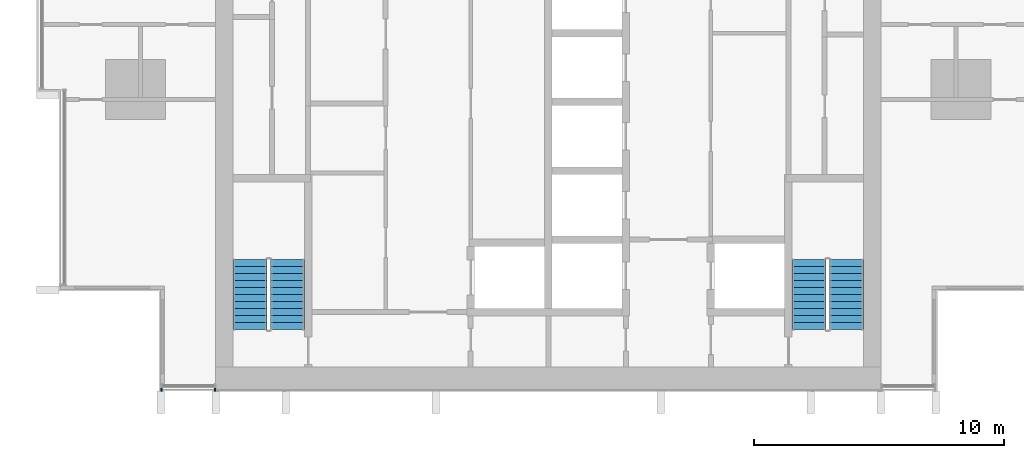
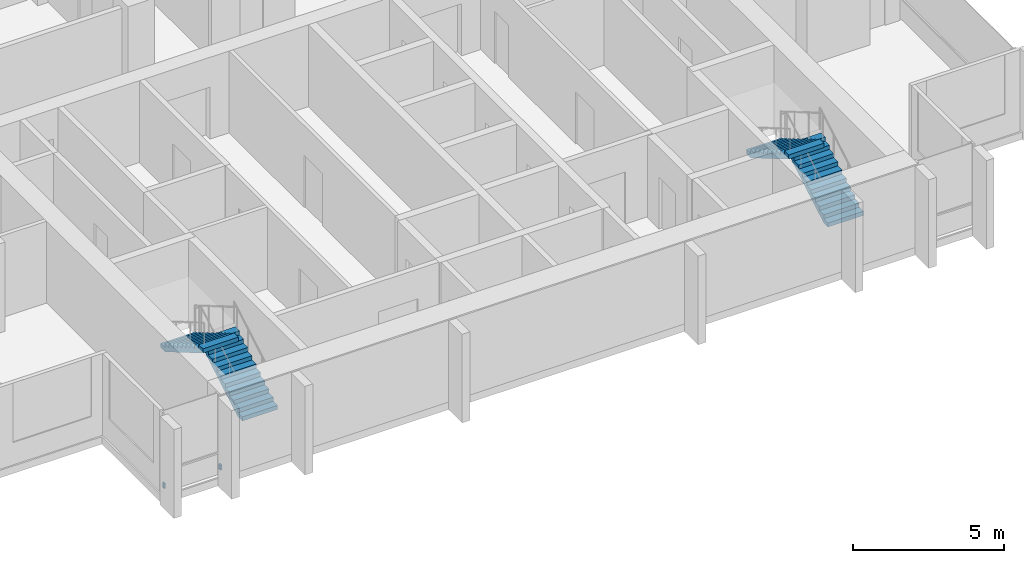
# One storey, part 11 of 16: 4 stair flights, 2 discrete accessories, 2 elements without a shape of their own.
"""IFC4 building model written with IfcOpenShell, lengths in metres."""

import ifcopenshell
import ifcopenshell.guid

model = None  # the IFC model being written
_history = None  # IfcOwnerHistory: only IFC2X3 demands one
_inside = {}  # id of a spatial element -> (the spatial element, [elements in it])
_under = {}  # id of a project, library or spatial element -> (it, [spatial elements below it])
_declared = {}  # id of a project -> (the project, [libraries it declares])
_typed = {}  # id of a type object -> (the type object, [elements of that type])
_made_of = {}  # id of a material, layer set ... -> (it, [elements and type objects made of it])


def new_model(schema):
    """Start an empty IFC model of exactly this schema.

    Asked for "IFC4X3", IfcOpenShell would pick the latest addendum, in which some entities
    have other attributes; the version numbers below select the first issue.
    IFC2X3 requires an IfcOwnerHistory on every rooted entity: one is made here for all.
    """
    global model, _history
    if schema == "IFC4X3":
        model = ifcopenshell.file(schema_version=(4, 3, 0, 0))
    else:
        model = ifcopenshell.file(schema=schema)
    _inside.clear()
    _under.clear()
    _declared.clear()
    _typed.clear()
    _made_of.clear()
    _history = None
    if model.schema == "IFC2X3":
        org = make("IfcOrganization", Name="unknown")
        user = make(
            "IfcPersonAndOrganization",
            ThePerson=make("IfcPerson", FamilyName="unknown"),
            TheOrganization=org,
        )
        app = make(
            "IfcApplication",
            ApplicationDeveloper=org,
            Version="unknown",
            ApplicationFullName="unknown",
            ApplicationIdentifier="unknown",
        )
        _history = make(
            "IfcOwnerHistory",
            OwningUser=user,
            OwningApplication=app,
            ChangeAction="ADDED",
            CreationDate=0,
        )
    return model


def make(cls, **values):
    """One entity of the class cls with the attributes given. An attribute that is None is left unset."""
    return model.create_entity(
        cls, **{name: value for name, value in values.items() if value is not None}
    )


def rooted(cls, **values):
    """An entity with a GlobalId (a new one), such as an element, a storey or a relation."""
    return make(cls, GlobalId=ifcopenshell.guid.new(), OwnerHistory=_history, **values)


def si_unit(unit_type, name, prefix=None):
    """IfcSIUnit, for example si_unit("LENGTHUNIT", "METRE", prefix="MILLI")."""
    return make("IfcSIUnit", UnitType=unit_type, Prefix=prefix, Name=name)


def assignment(units):
    """IfcUnitAssignment: the units of a project."""
    return None if units is None else make("IfcUnitAssignment", Units=units)


def point(xyz):
    """IfcCartesianPoint."""
    return None if xyz is None else make("IfcCartesianPoint", Coordinates=xyz)


def direction(xyz):
    """IfcDirection."""
    return None if xyz is None else make("IfcDirection", DirectionRatios=xyz)


def frame(location, z_axis=None, x_axis=None):
    """IfcAxis2Placement3D, a coordinate frame: its origin and axes. An axis left out is left unset."""
    return make(
        "IfcAxis2Placement3D",
        Location=point(location),
        Axis=direction(z_axis),
        RefDirection=direction(x_axis),
    )


def frame_2d(location, x_axis=None):
    """IfcAxis2Placement2D, a coordinate frame in the plane: its origin and x axis."""
    return make(
        "IfcAxis2Placement2D", Location=point(location), RefDirection=direction(x_axis)
    )


def origin():
    """The frame at (0, 0, 0) with its axes left unset."""
    return frame((0.0, 0.0, 0.0))


def origin_2d():
    """The frame at (0, 0) in the plane with its x axis left unset."""
    return frame_2d((0.0, 0.0))


def place(relative_to, where):
    """IfcLocalPlacement: puts the frame where relative to a parent placement (None: the world)."""
    return make(
        "IfcLocalPlacement", PlacementRelTo=relative_to, RelativePlacement=where
    )


def context(
    kind, dimensions, precision=None, world=None, true_north=None, identifier=None
):
    """IfcGeometricRepresentationContext, for example the 3D "Model" context."""
    return make(
        "IfcGeometricRepresentationContext",
        ContextIdentifier=identifier,
        ContextType=kind,
        CoordinateSpaceDimension=dimensions,
        Precision=precision,
        WorldCoordinateSystem=world,
        TrueNorth=true_north,
    )


def subcontext(parent, identifier, kind, view, scale=None):
    """IfcGeometricRepresentationSubContext, for example "Body" below "Model"."""
    return make(
        "IfcGeometricRepresentationSubContext",
        ContextIdentifier=identifier,
        ContextType=kind,
        ParentContext=parent,
        TargetScale=scale,
        TargetView=view,
    )


def project(units=None, contexts=None):
    """IfcProject with its units and contexts."""
    return rooted(
        "IfcProject",
        Name="project",
        RepresentationContexts=contexts,
        UnitsInContext=assignment(units),
    )


def spatial(cls, under=None, at=None, **own):
    """A site, building, storey or space (cls), placed at a placement, below another one or the project."""
    s = rooted(cls, ObjectPlacement=at, **own)
    if under is not None:
        _under.setdefault(under.id(), (under, []))[1].append(s)
    return s


def polyline(points):
    """IfcPolyline through the points."""
    return make("IfcPolyline", Points=[point(p) for p in points])


def profile(cls, at=None, kind="AREA", **sizes):
    """A parametric profile (cls). Its sizes go by their IFC names, for example OverallWidth=200.0."""
    return make(cls, ProfileType=kind, Position=at, **sizes)


def rectangle(**sizes):
    """IfcRectangleProfileDef."""
    return profile("IfcRectangleProfileDef", **sizes)


def outline(outer, holes=None, kind="AREA"):
    """IfcArbitraryClosedProfileDef: a profile drawn as a closed curve; with holes, ...WithVoids."""
    if holes is None:
        return make("IfcArbitraryClosedProfileDef", ProfileType=kind, OuterCurve=outer)
    return make(
        "IfcArbitraryProfileDefWithVoids",
        ProfileType=kind,
        OuterCurve=outer,
        InnerCurves=holes,
    )


def extrude(swept, where, along, depth):
    """IfcExtrudedAreaSolid: the profile swept, set in the frame where, extruded along a direction by depth."""
    return make(
        "IfcExtrudedAreaSolid",
        SweptArea=swept,
        Position=where,
        ExtrudedDirection=direction(along),
        Depth=depth,
    )


def shape(context_of_items, identifier, shape_type, items):
    """IfcShapeRepresentation: the items that make up one representation, for example the "Body"."""
    return make(
        "IfcShapeRepresentation",
        ContextOfItems=context_of_items,
        RepresentationIdentifier=identifier,
        RepresentationType=shape_type,
        Items=items,
    )


def material(Name=None, Category=None):
    """IfcMaterial."""
    return make("IfcMaterial", Name=Name, Category=Category)


def made_of(thing, what):
    """Note that an element or type object is made of a material, layer set ...; save() writes the relation."""
    if what is not None:
        _made_of.setdefault(what.id(), (what, []))[1].append(thing)
    return thing


def type_object(cls, material=None, **own):
    """A type object (cls), such as IfcWallType, which elements share."""
    return made_of(rooted(cls, **own), material)


def element(
    cls,
    number,
    at=None,
    inside=None,
    cuts=None,
    type_object=None,
    material=None,
    context=None,
    identifier="Body",
    shape_type=None,
    held_by="IfcProductDefinitionShape",
    body=None,
    shapes=None,
    **own,
):
    """One element of the class cls, such as IfcWall. Its Tag is "e" and its number.

    at: its placement. inside: the storey or other place that contains it. cuts: it is an
    opening in that element (IfcRelVoidsElement). A single representation is given by context,
    identifier, shape_type and body (its items); several are given by shapes. held_by: the class
    of the entity that holds the representations. save() writes the other relations.
    """
    e = rooted(cls, Tag="e%d" % number, ObjectPlacement=at, **own)
    if body is not None:
        shapes = [shape(context, identifier, shape_type, body)]
    if shapes is not None:
        e.Representation = make(held_by, Representations=shapes)
    if inside is not None:
        _inside.setdefault(inside.id(), (inside, []))[1].append(e)
    if cuts is not None:
        rooted(
            "IfcRelVoidsElement", RelatingBuildingElement=cuts, RelatedOpeningElement=e
        )
    if type_object is not None:
        _typed.setdefault(type_object.id(), (type_object, []))[1].append(e)
    return made_of(e, material)


def aggregate(whole, parts):
    """IfcRelAggregates: a whole, such as a stair, and the parts it consists of."""
    return rooted("IfcRelAggregates", RelatingObject=whole, RelatedObjects=parts)


def save(model, path):
    """Write the relations noted so far, then the file.

    IfcRelAggregates (storeys below a building ...), IfcRelContainedInSpatialStructure (elements
    in a storey), IfcRelDefinesByType, IfcRelAssociatesMaterial and IfcRelDeclares: one each for
    every whole, place, type object, material and project.
    """
    for whole, parts in _under.values():
        aggregate(whole, parts)
    for where, things in _inside.values():
        rooted(
            "IfcRelContainedInSpatialStructure",
            RelatedElements=things,
            RelatingStructure=where,
        )
    for kind, things in _typed.values():
        rooted("IfcRelDefinesByType", RelatedObjects=things, RelatingType=kind)
    for what, things in _made_of.values():
        rooted("IfcRelAssociatesMaterial", RelatedObjects=things, RelatingMaterial=what)
    for by, libraries in _declared.values():
        rooted("IfcRelDeclares", RelatingContext=by, RelatedDefinitions=libraries)
    model.write(path)


model = new_model("IFC4")

# Units and contexts
model_context = context("Model", 3, precision=1e-05, world=origin(), true_north=direction((0.0, 1.0)))
body_context = subcontext(model_context, "Body", "Model", "MODEL_VIEW")
ifc_project = project(units=[si_unit("LENGTHUNIT", "METRE"), si_unit("AREAUNIT", "SQUARE_METRE"), si_unit("VOLUMEUNIT", "CUBIC_METRE"), si_unit("PLANEANGLEUNIT", "RADIAN"), si_unit("MASSUNIT", "GRAM", prefix="KILO")], contexts=[model_context])

# Site, building, storey
site_placement = place(None, origin())
site = spatial("IfcSite", under=ifc_project, at=site_placement, CompositionType="ELEMENT")
building_placement = place(site_placement, origin())
building = spatial("IfcBuilding", under=site, at=building_placement, Name="Finial Court Residences", CompositionType="ELEMENT")
storey_placement = place(building_placement, frame((0.0, 0.0, 185.300048828125)))
storey = spatial("IfcBuildingStorey", under=building, at=storey_placement, Name="L46", CompositionType="ELEMENT", Elevation=185.300048828125)

# Stair, stair flights
ifc_material_1 = material(Name="Concrete C50/60", Category="concrete")
stair_type = type_object("IfcStairType", Name="Exit stair 22 risers of 163.6 mm", PredefinedType="HALF_TURN_STAIR", material=ifc_material_1)
stair_1_placement = place(storey_placement, origin())
stair_1 = element("IfcStair", 1, at=stair_1_placement, inside=storey, type_object=stair_type, Name="L46 Exit stair ST-1", PredefinedType="HALF_TURN_STAIR")
stair_flight_type = type_object("IfcStairFlightType", Name="Exit stair flight", PredefinedType="STRAIGHT", material=ifc_material_1)
stair_flight_1_placement = place(storey_placement, frame((-10.425048828125, -23.10009765625, 0.0), z_axis=(0.0, 0.0, 1.0), x_axis=(0.0, 1.0, 0.0)))
stair_flight_1 = element("IfcStairFlight", 2, at=stair_flight_1_placement, type_object=stair_flight_type, Name="ST-1 flight 1", NumberOfRisers=11, NumberOfTreads=10, PredefinedType="STRAIGHT", RiserHeight=0.163636364, TreadLength=0.28, context=body_context, shape_type="SweptSolid", body=[
    extrude(outline(polyline([(0.0, 0.0), (0.0, 0.16357421875), (0.280029296875, 0.16357421875), (0.280029296875, 0.327392578125), (0.56005859375, 0.327392578125), (0.56005859375, 0.490966796875), (0.840087890625, 0.490966796875), (0.840087890625, 0.654541015625), (1.1201171875, 0.654541015625), (1.1201171875, 0.818115234375), (1.39990234375, 0.818115234375), (1.39990234375, 0.98193359375), (1.679931640625, 0.98193359375), (1.679931640625, 1.1455078125), (1.9599609375, 1.1455078125), (1.9599609375, 1.30908203125), (2.239990234375, 1.30908203125), (2.239990234375, 1.47265625), (2.52001953125, 1.47265625), (2.52001953125, 1.636474609375), (2.800048828125, 1.636474609375), (2.800048828125, 1.800048828125), (2.800048828125, 1.462646484375), (0.297119140625, 0.0), (0.0, 0.0)])), frame((0.0, 0.675048828125, 0.0), z_axis=(0.0, -1.0, 0.0), x_axis=(1.0, 0.0, 0.0)), (0.0, 0.0, 1.0), 1.35009765625),
])
stair_flight_2_placement = place(storey_placement, frame((-11.925048828125, -20.300048828125, 1.800048828125), z_axis=(0.0, 0.0, 1.0), x_axis=(0.0, -1.0, 0.0)))
stair_flight_2 = element("IfcStairFlight", 3, at=stair_flight_2_placement, type_object=stair_flight_type, Name="ST-1 flight 2", NumberOfRisers=11, NumberOfTreads=10, PredefinedType="STRAIGHT", RiserHeight=0.163636364, TreadLength=0.28, context=body_context, shape_type="SweptSolid", body=[
    extrude(outline(polyline([(0.0, 0.0), (0.0, 0.16357421875), (0.280029296875, 0.16357421875), (0.280029296875, 0.327392578125), (0.56005859375, 0.327392578125), (0.56005859375, 0.490966796875), (0.840087890625, 0.490966796875), (0.840087890625, 0.654541015625), (1.1201171875, 0.654541015625), (1.1201171875, 0.818115234375), (1.39990234375, 0.818115234375), (1.39990234375, 0.98193359375), (1.679931640625, 0.98193359375), (1.679931640625, 1.1455078125), (1.9599609375, 1.1455078125), (1.9599609375, 1.30908203125), (2.239990234375, 1.30908203125), (2.239990234375, 1.47265625), (2.52001953125, 1.47265625), (2.52001953125, 1.636474609375), (2.800048828125, 1.636474609375), (2.800048828125, 1.800048828125), (2.800048828125, 1.462646484375), (0.297119140625, 0.0), (0.0, 0.0)])), frame((0.0, 0.675048828125, 0.0), z_axis=(0.0, -1.0, 0.0), x_axis=(1.0, 0.0, 0.0)), (0.0, 0.0, 1.0), 1.35009765625),
])
aggregate(stair_1, [stair_flight_1, stair_flight_2])

stair_2_placement = place(storey_placement, origin())
stair_2 = element("IfcStair", 4, at=stair_2_placement, inside=storey, type_object=stair_type, Name="L46 Exit stair ST-2", PredefinedType="HALF_TURN_STAIR")
stair_flight_3_placement = place(storey_placement, frame((11.925048828125, -23.10009765625, 0.0), z_axis=(0.0, 0.0, 1.0), x_axis=(0.0, 1.0, 0.0)))
stair_flight_3 = element("IfcStairFlight", 5, at=stair_flight_3_placement, type_object=stair_flight_type, Name="ST-2 flight 1", NumberOfRisers=11, NumberOfTreads=10, PredefinedType="STRAIGHT", RiserHeight=0.163636364, TreadLength=0.28, context=body_context, shape_type="SweptSolid", body=[
    extrude(outline(polyline([(0.0, 0.0), (0.0, 0.16357421875), (0.280029296875, 0.16357421875), (0.280029296875, 0.327392578125), (0.56005859375, 0.327392578125), (0.56005859375, 0.490966796875), (0.840087890625, 0.490966796875), (0.840087890625, 0.654541015625), (1.1201171875, 0.654541015625), (1.1201171875, 0.818115234375), (1.39990234375, 0.818115234375), (1.39990234375, 0.98193359375), (1.679931640625, 0.98193359375), (1.679931640625, 1.1455078125), (1.9599609375, 1.1455078125), (1.9599609375, 1.30908203125), (2.239990234375, 1.30908203125), (2.239990234375, 1.47265625), (2.52001953125, 1.47265625), (2.52001953125, 1.636474609375), (2.800048828125, 1.636474609375), (2.800048828125, 1.800048828125), (2.800048828125, 1.462646484375), (0.297119140625, 0.0), (0.0, 0.0)])), frame((0.0, 0.675048828125, 0.0), z_axis=(0.0, -1.0, 0.0), x_axis=(1.0, 0.0, 0.0)), (0.0, 0.0, 1.0), 1.35009765625),
])
stair_flight_4_placement = place(storey_placement, frame((10.425048828125, -20.300048828125, 1.800048828125), z_axis=(0.0, 0.0, 1.0), x_axis=(0.0, -1.0, 0.0)))
stair_flight_4 = element("IfcStairFlight", 6, at=stair_flight_4_placement, type_object=stair_flight_type, Name="ST-2 flight 2", NumberOfRisers=11, NumberOfTreads=10, PredefinedType="STRAIGHT", RiserHeight=0.163636364, TreadLength=0.28, context=body_context, shape_type="SweptSolid", body=[
    extrude(outline(polyline([(0.0, 0.0), (0.0, 0.16357421875), (0.280029296875, 0.16357421875), (0.280029296875, 0.327392578125), (0.56005859375, 0.327392578125), (0.56005859375, 0.490966796875), (0.840087890625, 0.490966796875), (0.840087890625, 0.654541015625), (1.1201171875, 0.654541015625), (1.1201171875, 0.818115234375), (1.39990234375, 0.818115234375), (1.39990234375, 0.98193359375), (1.679931640625, 0.98193359375), (1.679931640625, 1.1455078125), (1.9599609375, 1.1455078125), (1.9599609375, 1.30908203125), (2.239990234375, 1.30908203125), (2.239990234375, 1.47265625), (2.52001953125, 1.47265625), (2.52001953125, 1.636474609375), (2.800048828125, 1.636474609375), (2.800048828125, 1.800048828125), (2.800048828125, 1.462646484375), (0.297119140625, 0.0), (0.0, 0.0)])), frame((0.0, 0.675048828125, 0.0), z_axis=(0.0, -1.0, 0.0), x_axis=(1.0, 0.0, 0.0)), (0.0, 0.0, 1.0), 1.35009765625),
])
aggregate(stair_2, [stair_flight_3, stair_flight_4])

# Discrete accessories
ifc_material_2 = material(Name="Stainless steel 316", Category="steel")
discrete_accessory_type = type_object("IfcDiscreteAccessoryType", Name="Fin bracket, stainless steel 60 x 122 x 200", PredefinedType="BRACKET", material=ifc_material_2)
for number, where, z_axis, x_axis, name in (
    (7, (-15.469970703125, -25.498779296875, 0.2998046875), (0.0, 0.0, 1.0), (1.0, 0.0, 0.0), "E-L46-FIN-S14-BRK"),
    (8, (-13.330078125, -25.498779296875, 0.2998046875), (0.0, 0.0, 1.0), (1.0, 0.0, 0.0), "E-L46-FIN-S15-BRK"),
):
    element("IfcDiscreteAccessory", number, at=place(storey_placement, frame(where, z_axis=z_axis, x_axis=x_axis)), inside=storey, type_object=discrete_accessory_type, Name=name, PredefinedType="BRACKET", context=body_context, shape_type="SweptSolid", body=[
        extrude(rectangle(XDim=0.06005859375, YDim=0.12255859375, at=origin_2d()), origin(), (0.0, 0.0, 1.0), 0.199951171875),
    ])

save(model, "model.ifc")
